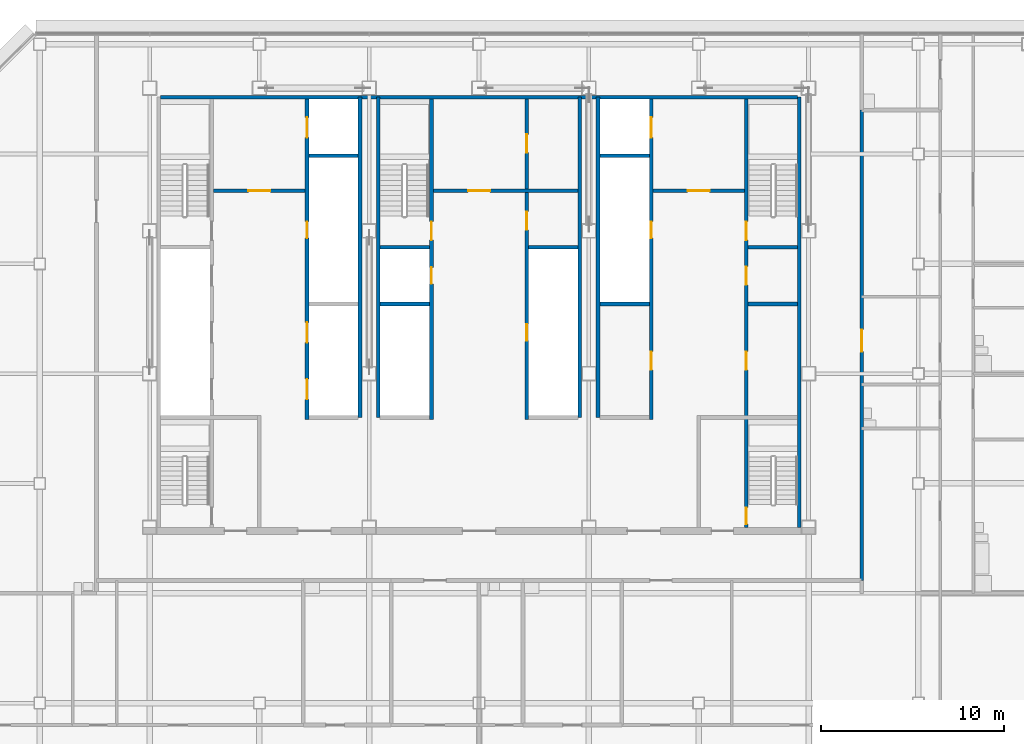
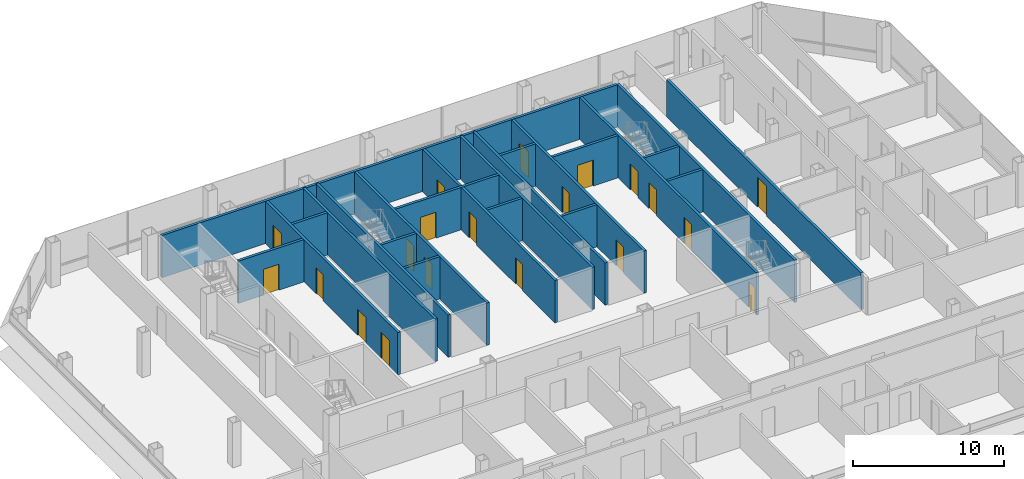
# One storey, part 22 of 26: 23 walls, 20 doors, 20 openings.
"""IFC4 building model written with IfcOpenShell, lengths in metres."""

from ifc_helpers import new_model, si_unit, direction, frame, frame_2d, origin, place, context, subcontext, project, spatial, rectangle, extrude, material, layer, layer_set, type_object, element, fill, save


model = new_model("IFC4")

# Units and contexts
model_context = context("Model", 3, precision=1e-05, world=origin(), true_north=direction((0.0, 1.0)))
body_context = subcontext(model_context, "Body", "Model", "MODEL_VIEW")
ifc_project = project(units=[si_unit("LENGTHUNIT", "METRE"), si_unit("AREAUNIT", "SQUARE_METRE"), si_unit("VOLUMEUNIT", "CUBIC_METRE"), si_unit("PLANEANGLEUNIT", "RADIAN"), si_unit("MASSUNIT", "GRAM", prefix="KILO")], contexts=[model_context])

# Site, building, storey
site_placement = place(None, origin())
site = spatial("IfcSite", under=ifc_project, at=site_placement, CompositionType="ELEMENT")
building_placement = place(site_placement, origin())
building = spatial("IfcBuilding", under=site, at=building_placement, Name="Sorahane Residences", CompositionType="ELEMENT")
storey_placement = place(building_placement, frame((0.0, 0.0, 154.60009765625)))
storey = spatial("IfcBuildingStorey", under=building, at=storey_placement, Name="L35", CompositionType="ELEMENT", Elevation=154.60009765625)

# Walls
ifc_material_1 = material(Name="Concrete C30", Category="concrete")
ifc_layer_1 = layer(ifc_material_1, 0.199951171875)
ifc_layer_set_1 = layer_set([ifc_layer_1], Name="Core face wall 200 EI 180")
wall_type_1 = type_object("IfcWallType", Name="Core face wall 200 EI 180", PredefinedType="SOLIDWALL", material=ifc_layer_set_1)
wall_1_placement = place(storey_placement, frame((41.5, 21.60009765625, 0.0), z_axis=(0.0, 0.0, 1.0), x_axis=(0.0, 1.0, 0.0)))
element("IfcWall", 1, at=wall_1_placement, inside=storey, type_object=wall_type_1, Name="L35 core face wall", PredefinedType="SOLIDWALL", context=body_context, shape_type="SweptSolid", body=[
    extrude(rectangle(XDim=23.5, YDim=0.199951171875, at=frame_2d((11.75, 0.0))), origin(), (0.0, 0.0, 1.0), 3.419921875),
])
wall_2_placement = place(storey_placement, frame((6.60009765625, 45.10009765625, 0.0), z_axis=(0.0, 0.0, 1.0), x_axis=(1.0, 0.0, 0.0)))
element("IfcWall", 2, at=wall_2_placement, inside=storey, type_object=wall_type_1, Name="L35 core face wall", PredefinedType="SOLIDWALL", context=body_context, shape_type="SweptSolid", body=[
    extrude(rectangle(XDim=34.7998046875, YDim=0.199951171875, at=frame_2d((17.39990234375, 0.0))), origin(), (0.0, 0.0, 1.0), 3.419921875),
])
for number, where, z_axis, x_axis, name in (
    (3, (17.5, 27.60009765625, 0.0), (0.0, 0.0, 1.0), (0.0, 1.0, 0.0), "L35 core face wall"),
    (4, (18.5, 27.60009765625, 0.0), (0.0, 0.0, 1.0), (0.0, 1.0, 0.0), "L35 core face wall"),
    (5, (29.5, 27.60009765625, 0.0), (0.0, 0.0, 1.0), (0.0, 1.0, 0.0), "L35 core face wall"),
    (6, (30.5, 27.60009765625, 0.0), (0.0, 0.0, 1.0), (0.0, 1.0, 0.0), "L35 core face wall"),
):
    element("IfcWall", number, at=place(storey_placement, frame(where, z_axis=z_axis, x_axis=x_axis)), inside=storey, type_object=wall_type_1, Name=name, PredefinedType="SOLIDWALL", context=body_context, shape_type="SweptSolid", body=[
        extrude(rectangle(XDim=17.5, YDim=0.199951171875, at=frame_2d((8.75, 0.0))), origin(), (0.0, 0.0, 1.0), 3.419921875),
    ])

# Wall, opening, door
ifc_material_2 = material(Name="Concrete blockwork C20 wall", Category="masonry")
ifc_layer_2 = layer(ifc_material_2, 0.199951171875)
ifc_layer_set_2 = layer_set([ifc_layer_2], Name="Corridor wall 200 EI 120")
wall_type_2 = type_object("IfcWallType", Name="Corridor wall 200 EI 120", PredefinedType="SOLIDWALL", material=ifc_layer_set_2)
wall_3_placement = place(storey_placement, frame((44.89990234375, 18.699951171875, 0.0), z_axis=(0.0, 0.0, 1.0), x_axis=(0.0, 1.0, 0.0)))
wall_3 = element("IfcWall", 7, at=wall_3_placement, inside=storey, type_object=wall_type_2, Name="L35 corridor wall", PredefinedType="SOLIDWALL", context=body_context, shape_type="SweptSolid", body=[
    extrude(rectangle(XDim=25.699951171875, YDim=0.199951171875, at=frame_2d((12.85009765625, 0.0))), origin(), (0.0, 0.0, 1.0), 2.969970703125),
])
opening_1_placement = place(wall_3_placement, frame((12.5, 0.0, 0.0)))
opening_1 = element("IfcOpeningElement", 8, at=opening_1_placement, cuts=wall_3, Name="Opening L35-44", PredefinedType="OPENING", context=body_context, shape_type="SweptSolid", body=[
    extrude(rectangle(XDim=1.199951171875, YDim=2.39990234375, at=frame_2d((0.60009765625, 1.199951171875))), frame((0.0, 0.10986328125, 0.0), z_axis=(0.0, -1.0, 0.0), x_axis=(1.0, 0.0, 0.0)), (0.0, 0.0, 1.0), 0.219970703125),
])
ifc_material_3 = material(Name="Timber veneered fire door", Category="wood")
door_type_1 = type_object("IfcDoorType", Name="Flat entrance door 1200x2400 FD60", OperationType="NOTDEFINED", PredefinedType="DOOR", material=ifc_material_3)
door_1_placement = place(opening_1_placement, frame((1.199951171875, 0.0, 0.0), z_axis=(0.0, 0.0, 1.0), x_axis=(-1.0, 0.0, 0.0)))
door_1 = element("IfcDoor", 9, at=door_1_placement, inside=storey, type_object=door_type_1, Name="Flat entrance door L35-44", OperationType="SINGLE_SWING_LEFT", OverallHeight=2.39990234375, OverallWidth=1.199951171875, PredefinedType="DOOR", context=body_context, shape_type="SweptSolid", body=[
    extrude(rectangle(XDim=1.199951171875, YDim=2.39990234375, at=frame_2d((0.60009765625, 1.199951171875))), frame((0.0, 0.02490234375, 0.0), z_axis=(0.0, -1.0, 0.0), x_axis=(1.0, 0.0, 0.0)), (0.0, 0.0, 1.0), 0.050048828125),
])
fill(opening_1, door_1)

ifc_material_4 = material(Name="Concrete C30", Category="concrete")
ifc_layer_3 = layer(ifc_material_4, 0.199951171875)
ifc_layer_set_3 = layer_set([ifc_layer_3], Name="Front room wall 200 EI 120")
wall_type_3 = type_object("IfcWallType", Name="Front room wall 200 EI 120", PredefinedType="PARTITIONING", material=ifc_layer_set_3)
wall_4_placement = place(storey_placement, frame((21.5, 40.0, 0.0), z_axis=(0.0, 0.0, 1.0), x_axis=(1.0, 0.0, 0.0)))
wall_4 = element("IfcWall", 10, at=wall_4_placement, inside=storey, type_object=wall_type_3, Name="L35 front room wall", PredefinedType="PARTITIONING", context=body_context, shape_type="SweptSolid", body=[
    extrude(rectangle(XDim=7.89990234375, YDim=0.199951171875, at=frame_2d((3.949951171875, 0.0))), origin(), (0.0, 0.0, 1.0), 3.419921875),
])
opening_2_placement = place(wall_4_placement, frame((1.89990234375, 0.0, 0.0)))
opening_2 = element("IfcOpeningElement", 11, at=opening_2_placement, cuts=wall_4, Name="Opening L35-C07", PredefinedType="OPENING", context=body_context, shape_type="SweptSolid", body=[
    extrude(rectangle(XDim=1.199951171875, YDim=2.10009765625, at=frame_2d((0.60009765625, 1.050048828125))), frame((0.0, 0.10986328125, 0.0), z_axis=(0.0, -1.0, 0.0), x_axis=(1.0, 0.0, 0.0)), (0.0, 0.0, 1.0), 0.219970703125),
])
ifc_material_5 = material(Name="Steel", Category="steel")
door_type_2 = type_object("IfcDoorType", Name="Front room door 1200x2100 FD120", OperationType="NOTDEFINED", PredefinedType="DOOR", material=ifc_material_5)
door_2_placement = place(opening_2_placement, frame((1.199951171875, 0.0, 0.0), z_axis=(0.0, 0.0, 1.0), x_axis=(-1.0, 0.0, 0.0)))
door_2 = element("IfcDoor", 12, at=door_2_placement, inside=storey, type_object=door_type_2, Name="Front room door Stair S3 vestibule L35", OperationType="DOUBLE_DOOR_SINGLE_SWING", OverallHeight=2.10009765625, OverallWidth=1.199951171875, PredefinedType="DOOR", context=body_context, shape_type="SweptSolid", body=[
    extrude(rectangle(XDim=1.199951171875, YDim=2.10009765625, at=frame_2d((0.60009765625, 1.050048828125))), frame((0.0, 0.02490234375, 0.0), z_axis=(0.0, -1.0, 0.0), x_axis=(1.0, 0.0, 0.0)), (0.0, 0.0, 1.0), 0.050048828125),
])
fill(opening_2, door_2)

wall_5_placement = place(storey_placement, frame((33.5, 40.0, 0.0), z_axis=(0.0, 0.0, 1.0), x_axis=(1.0, 0.0, 0.0)))
wall_5 = element("IfcWall", 13, at=wall_5_placement, inside=storey, type_object=wall_type_3, Name="L35 front room wall", PredefinedType="PARTITIONING", context=body_context, shape_type="SweptSolid", body=[
    extrude(rectangle(XDim=5.0, YDim=0.199951171875, at=frame_2d((2.5, 0.0))), origin(), (0.0, 0.0, 1.0), 3.419921875),
])
opening_3_placement = place(wall_5_placement, frame((1.89990234375, 0.0, 0.0)))
opening_3 = element("IfcOpeningElement", 14, at=opening_3_placement, cuts=wall_5, Name="Opening L35-C08", PredefinedType="OPENING", context=body_context, shape_type="SweptSolid", body=[
    extrude(rectangle(XDim=1.199951171875, YDim=2.10009765625, at=frame_2d((0.60009765625, 1.050048828125))), frame((0.0, 0.10986328125, 0.0), z_axis=(0.0, -1.0, 0.0), x_axis=(1.0, 0.0, 0.0)), (0.0, 0.0, 1.0), 0.219970703125),
])
door_3_placement = place(opening_3_placement, frame((1.199951171875, 0.0, 0.0), z_axis=(0.0, 0.0, 1.0), x_axis=(-1.0, 0.0, 0.0)))
door_3 = element("IfcDoor", 15, at=door_3_placement, inside=storey, type_object=door_type_2, Name="Front room door Firefighting lobby FF2 front room L35", OperationType="DOUBLE_DOOR_SINGLE_SWING", OverallHeight=2.10009765625, OverallWidth=1.199951171875, PredefinedType="DOOR", context=body_context, shape_type="SweptSolid", body=[
    extrude(rectangle(XDim=1.199951171875, YDim=2.10009765625, at=frame_2d((0.60009765625, 1.050048828125))), frame((0.0, 0.02490234375, 0.0), z_axis=(0.0, -1.0, 0.0), x_axis=(1.0, 0.0, 0.0)), (0.0, 0.0, 1.0), 0.050048828125),
])
fill(opening_3, door_3)

wall_6_placement = place(storey_placement, frame((9.5, 40.0, 0.0), z_axis=(0.0, 0.0, 1.0), x_axis=(1.0, 0.0, 0.0)))
wall_6 = element("IfcWall", 16, at=wall_6_placement, inside=storey, type_object=wall_type_3, Name="L35 front room wall", PredefinedType="PARTITIONING", context=body_context, shape_type="SweptSolid", body=[
    extrude(rectangle(XDim=5.0, YDim=0.199951171875, at=frame_2d((2.5, 0.0))), origin(), (0.0, 0.0, 1.0), 3.419921875),
])
opening_4_placement = place(wall_6_placement, frame((1.89990234375, 0.0, 0.0)))
opening_4 = element("IfcOpeningElement", 17, at=opening_4_placement, cuts=wall_6, Name="Opening L35-C06", PredefinedType="OPENING", context=body_context, shape_type="SweptSolid", body=[
    extrude(rectangle(XDim=1.199951171875, YDim=2.10009765625, at=frame_2d((0.60009765625, 1.050048828125))), frame((0.0, 0.10986328125, 0.0), z_axis=(0.0, -1.0, 0.0), x_axis=(1.0, 0.0, 0.0)), (0.0, 0.0, 1.0), 0.219970703125),
])
door_4_placement = place(opening_4_placement, frame((1.199951171875, 0.0, 0.0), z_axis=(0.0, 0.0, 1.0), x_axis=(-1.0, 0.0, 0.0)))
door_4 = element("IfcDoor", 18, at=door_4_placement, inside=storey, type_object=door_type_2, Name="Front room door Firefighting lobby FF1 front room L35", OperationType="DOUBLE_DOOR_SINGLE_SWING", OverallHeight=2.10009765625, OverallWidth=1.199951171875, PredefinedType="DOOR", context=body_context, shape_type="SweptSolid", body=[
    extrude(rectangle(XDim=1.199951171875, YDim=2.10009765625, at=frame_2d((0.60009765625, 1.050048828125))), frame((0.0, 0.02490234375, 0.0), z_axis=(0.0, -1.0, 0.0), x_axis=(1.0, 0.0, 0.0)), (0.0, 0.0, 1.0), 0.050048828125),
])
fill(opening_4, door_4)

# Wall, openings, doors
ifc_material_6 = material(Name="Concrete C30", Category="concrete")
ifc_layer_4 = layer(ifc_material_6, 0.199951171875)
ifc_layer_set_4 = layer_set([ifc_layer_4], Name="Lift shaft wall 200 EI 120")
wall_type_4 = type_object("IfcWallType", Name="Lift shaft wall 200 EI 120", PredefinedType="SOLIDWALL", material=ifc_layer_set_4)
wall_7_placement = place(storey_placement, frame((14.60009765625, 27.5, 0.0), z_axis=(0.0, 0.0, 1.0), x_axis=(0.0, 1.0, 0.0)))
wall_7 = element("IfcWall", 19, at=wall_7_placement, inside=storey, type_object=wall_type_4, Name="L35 lift shaft wall", PredefinedType="SOLIDWALL", context=body_context, shape_type="SweptSolid", body=[
    extrude(rectangle(XDim=17.5, YDim=0.199951171875, at=frame_2d((8.75, 0.0))), origin(), (0.0, 0.0, 1.0), 3.419921875),
])
opening_5_placement = place(wall_7_placement, frame((1.10009765625, 0.0, 0.0)))
opening_5 = element("IfcOpeningElement", 20, at=opening_5_placement, cuts=wall_7, Name="Opening L35-C10", PredefinedType="OPENING", context=body_context, shape_type="SweptSolid", body=[
    extrude(rectangle(XDim=1.10009765625, YDim=2.10009765625, at=frame_2d((0.550048828125, 1.050048828125))), frame((0.0, 0.10986328125, 0.0), z_axis=(0.0, -1.0, 0.0), x_axis=(1.0, 0.0, 0.0)), (0.0, 0.0, 1.0), 0.219970703125),
])
opening_6_placement = place(wall_7_placement, frame((4.199951171875, 0.0, 0.0)))
opening_6 = element("IfcOpeningElement", 21, at=opening_6_placement, cuts=wall_7, Name="Opening L35-C11", PredefinedType="OPENING", context=body_context, shape_type="SweptSolid", body=[
    extrude(rectangle(XDim=1.10009765625, YDim=2.10009765625, at=frame_2d((0.550048828125, 1.050048828125))), frame((0.0, 0.10986328125, 0.0), z_axis=(0.0, -1.0, 0.0), x_axis=(1.0, 0.0, 0.0)), (0.0, 0.0, 1.0), 0.219970703125),
])
opening_7_placement = place(wall_7_placement, frame((15.39990234375, 0.0, 0.0)))
opening_7 = element("IfcOpeningElement", 22, at=opening_7_placement, cuts=wall_7, Name="Opening L35-C12", PredefinedType="OPENING", context=body_context, shape_type="SweptSolid", body=[
    extrude(rectangle(XDim=1.10009765625, YDim=2.10009765625, at=frame_2d((0.550048828125, 1.050048828125))), frame((0.0, 0.10986328125, 0.0), z_axis=(0.0, -1.0, 0.0), x_axis=(1.0, 0.0, 0.0)), (0.0, 0.0, 1.0), 0.219970703125),
])
opening_8_placement = place(wall_7_placement, frame((9.89990234375, 0.0, 0.0)))
opening_8 = element("IfcOpeningElement", 23, at=opening_8_placement, cuts=wall_7, Name="Opening L35-C24", PredefinedType="OPENING", context=body_context, shape_type="SweptSolid", body=[
    extrude(rectangle(XDim=0.89990234375, YDim=2.10009765625, at=frame_2d((0.449951171875, 1.050048828125))), frame((0.0, 0.10986328125, 0.0), z_axis=(0.0, -1.0, 0.0), x_axis=(1.0, 0.0, 0.0)), (0.0, 0.0, 1.0), 0.219970703125),
])
ifc_material_7 = material(Name="Aluminium and stainless steel", Category="steel")
door_type_3 = type_object("IfcDoorType", Name="Lift landing door 1100x2100 E 60", OperationType="NOTDEFINED", PredefinedType="DOOR", material=ifc_material_7)
door_5_placement = place(opening_5_placement, origin())
door_5 = element("IfcDoor", 24, at=door_5_placement, inside=storey, type_object=door_type_3, Name="Lift landing door LR4 L35", OperationType="DOUBLE_DOOR_SLIDING", OverallHeight=2.10009765625, OverallWidth=1.10009765625, PredefinedType="DOOR", context=body_context, shape_type="SweptSolid", body=[
    extrude(rectangle(XDim=1.10009765625, YDim=2.10009765625, at=frame_2d((0.550048828125, 1.050048828125))), frame((0.0, 0.02490234375, 0.0), z_axis=(0.0, -1.0, 0.0), x_axis=(1.0, 0.0, 0.0)), (0.0, 0.0, 1.0), 0.050048828125),
])
fill(opening_5, door_5)
door_6_placement = place(opening_6_placement, origin())
door_6 = element("IfcDoor", 25, at=door_6_placement, inside=storey, type_object=door_type_3, Name="Lift landing door LR5 L35", OperationType="DOUBLE_DOOR_SLIDING", OverallHeight=2.10009765625, OverallWidth=1.10009765625, PredefinedType="DOOR", context=body_context, shape_type="SweptSolid", body=[
    extrude(rectangle(XDim=1.10009765625, YDim=2.10009765625, at=frame_2d((0.550048828125, 1.050048828125))), frame((0.0, 0.02490234375, 0.0), z_axis=(0.0, -1.0, 0.0), x_axis=(1.0, 0.0, 0.0)), (0.0, 0.0, 1.0), 0.050048828125),
])
fill(opening_6, door_6)
door_7_placement = place(opening_7_placement, origin())
door_7 = element("IfcDoor", 26, at=door_7_placement, inside=storey, type_object=door_type_3, Name="Lift landing door FF1 L35", OperationType="DOUBLE_DOOR_SLIDING", OverallHeight=2.10009765625, OverallWidth=1.10009765625, PredefinedType="DOOR", context=body_context, shape_type="SweptSolid", body=[
    extrude(rectangle(XDim=1.10009765625, YDim=2.10009765625, at=frame_2d((0.550048828125, 1.050048828125))), frame((0.0, 0.02490234375, 0.0), z_axis=(0.0, -1.0, 0.0), x_axis=(1.0, 0.0, 0.0)), (0.0, 0.0, 1.0), 0.050048828125),
])
fill(opening_7, door_7)
ifc_material_8 = material(Name="Steel", Category="steel")
door_type_4 = type_object("IfcDoorType", Name="Riser door 900x2100 FD120", OperationType="NOTDEFINED", PredefinedType="DOOR", material=ifc_material_8)
door_8_placement = place(opening_8_placement, origin())
door_8 = element("IfcDoor", 27, at=door_8_placement, inside=storey, type_object=door_type_4, Name="Riser door R1 L35", OperationType="SINGLE_SWING_LEFT", OverallHeight=2.10009765625, OverallWidth=0.89990234375, PredefinedType="DOOR", context=body_context, shape_type="SweptSolid", body=[
    extrude(rectangle(XDim=0.89990234375, YDim=2.10009765625, at=frame_2d((0.449951171875, 1.050048828125))), frame((0.0, 0.02490234375, 0.0), z_axis=(0.0, -1.0, 0.0), x_axis=(1.0, 0.0, 0.0)), (0.0, 0.0, 1.0), 0.050048828125),
])
fill(opening_8, door_8)

wall_8_placement = place(storey_placement, frame((33.39990234375, 27.5, 0.0), z_axis=(0.0, 0.0, 1.0), x_axis=(0.0, 1.0, 0.0)))
wall_8 = element("IfcWall", 28, at=wall_8_placement, inside=storey, type_object=wall_type_4, Name="L35 lift shaft wall", PredefinedType="SOLIDWALL", context=body_context, shape_type="SweptSolid", body=[
    extrude(rectangle(XDim=17.5, YDim=0.199951171875, at=frame_2d((8.75, 0.0))), origin(), (0.0, 0.0, 1.0), 3.419921875),
])
opening_9_placement = place(wall_8_placement, frame((15.39990234375, 0.0, 0.0)))
opening_9 = element("IfcOpeningElement", 29, at=opening_9_placement, cuts=wall_8, Name="Opening L35-C09", PredefinedType="OPENING", context=body_context, shape_type="SweptSolid", body=[
    extrude(rectangle(XDim=1.10009765625, YDim=2.10009765625, at=frame_2d((0.550048828125, 1.050048828125))), frame((0.0, 0.10986328125, 0.0), z_axis=(0.0, -1.0, 0.0), x_axis=(1.0, 0.0, 0.0)), (0.0, 0.0, 1.0), 0.219970703125),
])
opening_10_placement = place(wall_8_placement, frame((2.699951171875, 0.0, 0.0)))
opening_10 = element("IfcOpeningElement", 30, at=opening_10_placement, cuts=wall_8, Name="Opening L35-C18", PredefinedType="OPENING", context=body_context, shape_type="SweptSolid", body=[
    extrude(rectangle(XDim=1.0, YDim=2.10009765625, at=frame_2d((0.5, 1.050048828125))), frame((0.0, 0.10986328125, 0.0), z_axis=(0.0, -1.0, 0.0), x_axis=(1.0, 0.0, 0.0)), (0.0, 0.0, 1.0), 0.219970703125),
])
opening_11_placement = place(wall_8_placement, frame((9.89990234375, 0.0, 0.0)))
opening_11 = element("IfcOpeningElement", 31, at=opening_11_placement, cuts=wall_8, Name="Opening L35-C25", PredefinedType="OPENING", context=body_context, shape_type="SweptSolid", body=[
    extrude(rectangle(XDim=0.89990234375, YDim=2.10009765625, at=frame_2d((0.449951171875, 1.050048828125))), frame((0.0, 0.10986328125, 0.0), z_axis=(0.0, -1.0, 0.0), x_axis=(1.0, 0.0, 0.0)), (0.0, 0.0, 1.0), 0.219970703125),
])
door_9_placement = place(opening_9_placement, origin())
door_9 = element("IfcDoor", 32, at=door_9_placement, inside=storey, type_object=door_type_3, Name="Lift landing door FF2 L35", OperationType="DOUBLE_DOOR_SLIDING", OverallHeight=2.10009765625, OverallWidth=1.10009765625, PredefinedType="DOOR", context=body_context, shape_type="SweptSolid", body=[
    extrude(rectangle(XDim=1.10009765625, YDim=2.10009765625, at=frame_2d((0.550048828125, 1.050048828125))), frame((0.0, 0.02490234375, 0.0), z_axis=(0.0, -1.0, 0.0), x_axis=(1.0, 0.0, 0.0)), (0.0, 0.0, 1.0), 0.050048828125),
])
fill(opening_9, door_9)
door_10_placement = place(opening_11_placement, frame((0.89990234375, 0.0, 0.0), z_axis=(0.0, 0.0, 1.0), x_axis=(-1.0, 0.0, 0.0)))
door_10 = element("IfcDoor", 33, at=door_10_placement, inside=storey, type_object=door_type_4, Name="Riser door R2 L35", OperationType="SINGLE_SWING_LEFT", OverallHeight=2.10009765625, OverallWidth=0.89990234375, PredefinedType="DOOR", context=body_context, shape_type="SweptSolid", body=[
    extrude(rectangle(XDim=0.89990234375, YDim=2.10009765625, at=frame_2d((0.449951171875, 1.050048828125))), frame((0.0, 0.02490234375, 0.0), z_axis=(0.0, -1.0, 0.0), x_axis=(1.0, 0.0, 0.0)), (0.0, 0.0, 1.0), 0.050048828125),
])
fill(opening_11, door_10)
ifc_material_9 = material(Name="Steel", Category="steel")
door_type_5 = type_object("IfcDoorType", Name="Service room door 1000x2100 FD60", OperationType="NOTDEFINED", PredefinedType="DOOR", material=ifc_material_9)
door_11_placement = place(opening_10_placement, origin())
door_11 = element("IfcDoor", 34, at=door_11_placement, inside=storey, type_object=door_type_5, Name="Service room door Tea room L35", OperationType="SINGLE_SWING_RIGHT", OverallHeight=2.10009765625, OverallWidth=1.0, PredefinedType="DOOR", context=body_context, shape_type="SweptSolid", body=[
    extrude(rectangle(XDim=1.0, YDim=2.10009765625, at=frame_2d((0.5, 1.050048828125))), frame((0.0, 0.02490234375, 0.0), z_axis=(0.0, -1.0, 0.0), x_axis=(1.0, 0.0, 0.0)), (0.0, 0.0, 1.0), 0.050048828125),
])
fill(opening_10, door_11)

# Walls
for number, where, z_axis, x_axis, name in (
    (35, (18.60009765625, 33.800048828125, 0.0), (0.0, 0.0, 1.0), (1.0, 0.0, 0.0), "L35 lift shaft wall"),
    (36, (14.699951171875, 41.89990234375, 0.0), (0.0, 0.0, 1.0), (1.0, 0.0, 0.0), "L35 lift shaft wall"),
    (37, (30.60009765625, 41.89990234375, 0.0), (0.0, 0.0, 1.0), (1.0, 0.0, 0.0), "L35 lift shaft wall"),
):
    element("IfcWall", number, at=place(storey_placement, frame(where, z_axis=z_axis, x_axis=x_axis)), inside=storey, type_object=wall_type_4, Name=name, PredefinedType="SOLIDWALL", context=body_context, shape_type="SweptSolid", body=[
        extrude(rectangle(XDim=2.699951171875, YDim=0.199951171875, at=frame_2d((1.35009765625, 0.0))), origin(), (0.0, 0.0, 1.0), 3.419921875),
    ])

# Wall, openings, doors
ifc_material_10 = material(Name="Concrete C30", Category="concrete")
ifc_layer_5 = layer(ifc_material_10, 0.199951171875)
ifc_layer_set_5 = layer_set([ifc_layer_5], Name="Riser shaft wall 200 EI 120")
wall_type_5 = type_object("IfcWallType", Name="Riser shaft wall 200 EI 120", PredefinedType="SOLIDWALL", material=ifc_layer_set_5)
wall_9_placement = place(storey_placement, frame((26.60009765625, 27.5, 0.0), z_axis=(0.0, 0.0, 1.0), x_axis=(0.0, 1.0, 0.0)))
wall_9 = element("IfcWall", 38, at=wall_9_placement, inside=storey, type_object=wall_type_5, Name="L35 riser wall", PredefinedType="SOLIDWALL", context=body_context, shape_type="SweptSolid", body=[
    extrude(rectangle(XDim=17.5, YDim=0.199951171875, at=frame_2d((8.75, 0.0))), origin(), (0.0, 0.0, 1.0), 3.419921875),
])
opening_12_placement = place(wall_9_placement, frame((4.300048828125, 0.0, 0.0)))
opening_12 = element("IfcOpeningElement", 39, at=opening_12_placement, cuts=wall_9, Name="Opening L35-C27", PredefinedType="OPENING", context=body_context, shape_type="SweptSolid", body=[
    extrude(rectangle(XDim=0.89990234375, YDim=2.10009765625, at=frame_2d((0.449951171875, 1.050048828125))), frame((0.0, 0.10986328125, 0.0), z_axis=(0.0, -1.0, 0.0), x_axis=(1.0, 0.0, 0.0)), (0.0, 0.0, 1.0), 0.219970703125),
])
opening_13_placement = place(wall_9_placement, frame((10.35009765625, 0.0, 0.0)))
opening_13 = element("IfcOpeningElement", 40, at=opening_13_placement, cuts=wall_9, Name="Opening L35-C28", PredefinedType="OPENING", context=body_context, shape_type="SweptSolid", body=[
    extrude(rectangle(XDim=1.0, YDim=2.10009765625, at=frame_2d((0.5, 1.050048828125))), frame((0.0, 0.10986328125, 0.0), z_axis=(0.0, -1.0, 0.0), x_axis=(1.0, 0.0, 0.0)), (0.0, 0.0, 1.0), 0.219970703125),
])
opening_14_placement = place(wall_9_placement, frame((14.574951171875, 0.0, 0.0)))
opening_14 = element("IfcOpeningElement", 41, at=opening_14_placement, cuts=wall_9, Name="Opening L35-C29", PredefinedType="OPENING", context=body_context, shape_type="SweptSolid", body=[
    extrude(rectangle(XDim=1.0, YDim=2.10009765625, at=frame_2d((0.5, 1.050048828125))), frame((0.0, 0.10986328125, 0.0), z_axis=(0.0, -1.0, 0.0), x_axis=(1.0, 0.0, 0.0)), (0.0, 0.0, 1.0), 0.219970703125),
])
door_12_placement = place(opening_12_placement, origin())
door_12 = element("IfcDoor", 42, at=door_12_placement, inside=storey, type_object=door_type_4, Name="Riser door R4 L35", OperationType="SINGLE_SWING_LEFT", OverallHeight=2.10009765625, OverallWidth=0.89990234375, PredefinedType="DOOR", context=body_context, shape_type="SweptSolid", body=[
    extrude(rectangle(XDim=0.89990234375, YDim=2.10009765625, at=frame_2d((0.449951171875, 1.050048828125))), frame((0.0, 0.02490234375, 0.0), z_axis=(0.0, -1.0, 0.0), x_axis=(1.0, 0.0, 0.0)), (0.0, 0.0, 1.0), 0.050048828125),
])
fill(opening_12, door_12)
door_13_placement = place(opening_13_placement, frame((1.0, 0.0, 0.0), z_axis=(0.0, 0.0, 1.0), x_axis=(-1.0, 0.0, 0.0)))
door_13 = element("IfcDoor", 43, at=door_13_placement, inside=storey, type_object=door_type_5, Name="Service room door Linen room L35", OperationType="SINGLE_SWING_LEFT", OverallHeight=2.10009765625, OverallWidth=1.0, PredefinedType="DOOR", context=body_context, shape_type="SweptSolid", body=[
    extrude(rectangle(XDim=1.0, YDim=2.10009765625, at=frame_2d((0.5, 1.050048828125))), frame((0.0, 0.02490234375, 0.0), z_axis=(0.0, -1.0, 0.0), x_axis=(1.0, 0.0, 0.0)), (0.0, 0.0, 1.0), 0.050048828125),
])
fill(opening_13, door_13)
door_14_placement = place(opening_14_placement, frame((1.0, 0.0, 0.0), z_axis=(0.0, 0.0, 1.0), x_axis=(-1.0, 0.0, 0.0)))
door_14 = element("IfcDoor", 44, at=door_14_placement, inside=storey, type_object=door_type_5, Name="Service room door Cleaners' store L35", OperationType="SINGLE_SWING_LEFT", OverallHeight=2.10009765625, OverallWidth=1.0, PredefinedType="DOOR", context=body_context, shape_type="SweptSolid", body=[
    extrude(rectangle(XDim=1.0, YDim=2.10009765625, at=frame_2d((0.5, 1.050048828125))), frame((0.0, 0.02490234375, 0.0), z_axis=(0.0, -1.0, 0.0), x_axis=(1.0, 0.0, 0.0)), (0.0, 0.0, 1.0), 0.050048828125),
])
fill(opening_14, door_14)

# Walls
for number, where, z_axis, x_axis, name in (
    (45, (30.60009765625, 33.800048828125, 0.0), (0.0, 0.0, 1.0), (1.0, 0.0, 0.0), "L35 riser wall"),
    (46, (26.699951171875, 36.89990234375, 0.0), (0.0, 0.0, 1.0), (1.0, 0.0, 0.0), "L35 riser wall"),
):
    element("IfcWall", number, at=place(storey_placement, frame(where, z_axis=z_axis, x_axis=x_axis)), inside=storey, type_object=wall_type_5, Name=name, PredefinedType="SOLIDWALL", context=body_context, shape_type="SweptSolid", body=[
        extrude(rectangle(XDim=2.699951171875, YDim=0.199951171875, at=frame_2d((1.35009765625, 0.0))), origin(), (0.0, 0.0, 1.0), 3.419921875),
    ])
ifc_material_11 = material(Name="Concrete C30", Category="concrete")
ifc_layer_6 = layer(ifc_material_11, 0.199951171875)
ifc_layer_set_6 = layer_set([ifc_layer_6], Name="Service room partition 200 EI 60")
wall_type_6 = type_object("IfcWallType", Name="Service room partition 200 EI 60", PredefinedType="PARTITIONING", material=ifc_layer_set_6)
wall_10_placement = place(storey_placement, frame((38.699951171875, 33.800048828125, 0.0), z_axis=(0.0, 0.0, 1.0), x_axis=(1.0, 0.0, 0.0)))
element("IfcWall", 47, at=wall_10_placement, inside=storey, type_object=wall_type_6, Name="L35 service room wall", PredefinedType="PARTITIONING", context=body_context, shape_type="SweptSolid", body=[
    extrude(rectangle(XDim=2.699951171875, YDim=0.199951171875, at=frame_2d((1.35009765625, 0.0))), origin(), (0.0, 0.0, 1.0), 3.419921875),
])

# Wall, openings, doors
ifc_material_12 = material(Name="Concrete C30", Category="concrete")
ifc_layer_7 = layer(ifc_material_12, 0.199951171875)
ifc_layer_set_7 = layer_set([ifc_layer_7], Name="Stair enclosure wall 200 EI 120")
wall_type_7 = type_object("IfcWallType", Name="Stair enclosure wall 200 EI 120", PredefinedType="SOLIDWALL", material=ifc_layer_set_7)
wall_11_placement = place(storey_placement, frame((21.39990234375, 27.5, 0.0), z_axis=(0.0, 0.0, 1.0), x_axis=(0.0, 1.0, 0.0)))
wall_11 = element("IfcWall", 48, at=wall_11_placement, inside=storey, type_object=wall_type_7, Name="L35 stair enclosure wall", PredefinedType="SOLIDWALL", context=body_context, shape_type="SweptSolid", body=[
    extrude(rectangle(XDim=17.5, YDim=0.199951171875, at=frame_2d((8.75, 0.0))), origin(), (0.0, 0.0, 1.0), 3.419921875),
])
opening_15_placement = place(wall_11_placement, frame((9.800048828125, 0.0, 0.0)))
opening_15 = element("IfcOpeningElement", 49, at=opening_15_placement, cuts=wall_11, Name="Opening L35-C21", PredefinedType="OPENING", context=body_context, shape_type="SweptSolid", body=[
    extrude(rectangle(XDim=1.0, YDim=2.10009765625, at=frame_2d((0.5, 1.050048828125))), frame((0.0, 0.10986328125, 0.0), z_axis=(0.0, -1.0, 0.0), x_axis=(1.0, 0.0, 0.0)), (0.0, 0.0, 1.0), 0.219970703125),
])
opening_16_placement = place(wall_11_placement, frame((7.39990234375, 0.0, 0.0)))
opening_16 = element("IfcOpeningElement", 50, at=opening_16_placement, cuts=wall_11, Name="Opening L35-C26", PredefinedType="OPENING", context=body_context, shape_type="SweptSolid", body=[
    extrude(rectangle(XDim=0.89990234375, YDim=2.10009765625, at=frame_2d((0.449951171875, 1.050048828125))), frame((0.0, 0.10986328125, 0.0), z_axis=(0.0, -1.0, 0.0), x_axis=(1.0, 0.0, 0.0)), (0.0, 0.0, 1.0), 0.219970703125),
])
door_15_placement = place(opening_16_placement, frame((0.89990234375, 0.0, 0.0), z_axis=(0.0, 0.0, 1.0), x_axis=(-1.0, 0.0, 0.0)))
door_15 = element("IfcDoor", 51, at=door_15_placement, inside=storey, type_object=door_type_4, Name="Riser door R3 L35", OperationType="SINGLE_SWING_LEFT", OverallHeight=2.10009765625, OverallWidth=0.89990234375, PredefinedType="DOOR", context=body_context, shape_type="SweptSolid", body=[
    extrude(rectangle(XDim=0.89990234375, YDim=2.10009765625, at=frame_2d((0.449951171875, 1.050048828125))), frame((0.0, 0.02490234375, 0.0), z_axis=(0.0, -1.0, 0.0), x_axis=(1.0, 0.0, 0.0)), (0.0, 0.0, 1.0), 0.050048828125),
])
fill(opening_16, door_15)
ifc_material_13 = material(Name="Steel", Category="steel")
door_type_6 = type_object("IfcDoorType", Name="Stair door 1000x2100 FD120", OperationType="NOTDEFINED", PredefinedType="DOOR", material=ifc_material_13)
door_16_placement = place(opening_15_placement, origin())
door_16 = element("IfcDoor", 52, at=door_16_placement, inside=storey, type_object=door_type_6, Name="Stair door S3 L35", OperationType="SINGLE_SWING_LEFT", OverallHeight=2.10009765625, OverallWidth=1.0, PredefinedType="DOOR", context=body_context, shape_type="SweptSolid", body=[
    extrude(rectangle(XDim=1.0, YDim=2.10009765625, at=frame_2d((0.5, 1.050048828125))), frame((0.0, 0.02490234375, 0.0), z_axis=(0.0, -1.0, 0.0), x_axis=(1.0, 0.0, 0.0)), (0.0, 0.0, 1.0), 0.050048828125),
])
fill(opening_15, door_16)

wall_12_placement = place(storey_placement, frame((38.60009765625, 21.60009765625, 0.0), z_axis=(0.0, 0.0, 1.0), x_axis=(0.0, 1.0, 0.0)))
wall_12 = element("IfcWall", 53, at=wall_12_placement, inside=storey, type_object=wall_type_7, Name="L35 stair enclosure wall", PredefinedType="SOLIDWALL", context=body_context, shape_type="SweptSolid", body=[
    extrude(rectangle(XDim=23.39990234375, YDim=0.199951171875, at=frame_2d((11.699951171875, 0.0))), origin(), (0.0, 0.0, 1.0), 3.419921875),
])
opening_17_placement = place(wall_12_placement, frame((8.60009765625, 0.0, 0.0)))
opening_17 = element("IfcOpeningElement", 54, at=opening_17_placement, cuts=wall_12, Name="Opening L35-C16", PredefinedType="OPENING", context=body_context, shape_type="SweptSolid", body=[
    extrude(rectangle(XDim=1.0, YDim=2.10009765625, at=frame_2d((0.5, 1.050048828125))), frame((0.0, 0.10986328125, 0.0), z_axis=(0.0, -1.0, 0.0), x_axis=(1.0, 0.0, 0.0)), (0.0, 0.0, 1.0), 0.219970703125),
])
opening_18_placement = place(wall_12_placement, frame((13.25, 0.0, 0.0)))
opening_18 = element("IfcOpeningElement", 55, at=opening_18_placement, cuts=wall_12, Name="Opening L35-C17", PredefinedType="OPENING", context=body_context, shape_type="SweptSolid", body=[
    extrude(rectangle(XDim=1.0, YDim=2.10009765625, at=frame_2d((0.5, 1.050048828125))), frame((0.0, 0.10986328125, 0.0), z_axis=(0.0, -1.0, 0.0), x_axis=(1.0, 0.0, 0.0)), (0.0, 0.0, 1.0), 0.219970703125),
])
opening_19_placement = place(wall_12_placement, frame((15.699951171875, 0.0, 0.0)))
opening_19 = element("IfcOpeningElement", 56, at=opening_19_placement, cuts=wall_12, Name="Opening L35-C20", PredefinedType="OPENING", context=body_context, shape_type="SweptSolid", body=[
    extrude(rectangle(XDim=1.0, YDim=2.10009765625, at=frame_2d((0.5, 1.050048828125))), frame((0.0, 0.10986328125, 0.0), z_axis=(0.0, -1.0, 0.0), x_axis=(1.0, 0.0, 0.0)), (0.0, 0.0, 1.0), 0.219970703125),
])
opening_20_placement = place(wall_12_placement, frame((0.175048828125, 0.0, 0.0)))
opening_20 = element("IfcOpeningElement", 57, at=opening_20_placement, cuts=wall_12, Name="Opening L35-C23", PredefinedType="OPENING", context=body_context, shape_type="SweptSolid", body=[
    extrude(rectangle(XDim=0.89990234375, YDim=2.10009765625, at=frame_2d((0.449951171875, 1.050048828125))), frame((0.0, 0.10986328125, 0.0), z_axis=(0.0, -1.0, 0.0), x_axis=(1.0, 0.0, 0.0)), (0.0, 0.0, 1.0), 0.219970703125),
])
door_17_placement = place(opening_17_placement, frame((1.0, 0.0, 0.0), z_axis=(0.0, 0.0, 1.0), x_axis=(-1.0, 0.0, 0.0)))
door_17 = element("IfcDoor", 58, at=door_17_placement, inside=storey, type_object=door_type_5, Name="Service room door Tea room L35", OperationType="SINGLE_SWING_RIGHT", OverallHeight=2.10009765625, OverallWidth=1.0, PredefinedType="DOOR", context=body_context, shape_type="SweptSolid", body=[
    extrude(rectangle(XDim=1.0, YDim=2.10009765625, at=frame_2d((0.5, 1.050048828125))), frame((0.0, 0.02490234375, 0.0), z_axis=(0.0, -1.0, 0.0), x_axis=(1.0, 0.0, 0.0)), (0.0, 0.0, 1.0), 0.050048828125),
])
fill(opening_17, door_17)
door_18_placement = place(opening_18_placement, frame((1.0, 0.0, 0.0), z_axis=(0.0, 0.0, 1.0), x_axis=(-1.0, 0.0, 0.0)))
door_18 = element("IfcDoor", 59, at=door_18_placement, inside=storey, type_object=door_type_5, Name="Service room door Tea room L35", OperationType="SINGLE_SWING_LEFT", OverallHeight=2.10009765625, OverallWidth=1.0, PredefinedType="DOOR", context=body_context, shape_type="SweptSolid", body=[
    extrude(rectangle(XDim=1.0, YDim=2.10009765625, at=frame_2d((0.5, 1.050048828125))), frame((0.0, 0.02490234375, 0.0), z_axis=(0.0, -1.0, 0.0), x_axis=(1.0, 0.0, 0.0)), (0.0, 0.0, 1.0), 0.050048828125),
])
fill(opening_18, door_18)
door_19_placement = place(opening_19_placement, frame((1.0, 0.0, 0.0), z_axis=(0.0, 0.0, 1.0), x_axis=(-1.0, 0.0, 0.0)))
door_19 = element("IfcDoor", 60, at=door_19_placement, inside=storey, type_object=door_type_6, Name="Stair door S2 L35", OperationType="SINGLE_SWING_LEFT", OverallHeight=2.10009765625, OverallWidth=1.0, PredefinedType="DOOR", context=body_context, shape_type="SweptSolid", body=[
    extrude(rectangle(XDim=1.0, YDim=2.10009765625, at=frame_2d((0.5, 1.050048828125))), frame((0.0, 0.02490234375, 0.0), z_axis=(0.0, -1.0, 0.0), x_axis=(1.0, 0.0, 0.0)), (0.0, 0.0, 1.0), 0.050048828125),
])
fill(opening_19, door_19)
ifc_material_14 = material(Name="Steel", Category="steel")
door_type_7 = type_object("IfcDoorType", Name="Stair door 900x2100 FD120", OperationType="NOTDEFINED", PredefinedType="DOOR", material=ifc_material_14)
door_20_placement = place(opening_20_placement, frame((0.89990234375, 0.0, 0.0), z_axis=(0.0, 0.0, 1.0), x_axis=(-1.0, 0.0, 0.0)))
door_20 = element("IfcDoor", 61, at=door_20_placement, inside=storey, type_object=door_type_7, Name="Stair door S5 L35", OperationType="SINGLE_SWING_LEFT", OverallHeight=2.10009765625, OverallWidth=0.89990234375, PredefinedType="DOOR", context=body_context, shape_type="SweptSolid", body=[
    extrude(rectangle(XDim=0.89990234375, YDim=2.10009765625, at=frame_2d((0.449951171875, 1.050048828125))), frame((0.0, 0.02490234375, 0.0), z_axis=(0.0, -1.0, 0.0), x_axis=(1.0, 0.0, 0.0)), (0.0, 0.0, 1.0), 0.050048828125),
])
fill(opening_20, door_20)

# Walls
for number, where, z_axis, x_axis, name in (
    (62, (18.60009765625, 36.89990234375, 0.0), (0.0, 0.0, 1.0), (1.0, 0.0, 0.0), "L35 stair enclosure wall"),
    (63, (38.699951171875, 36.89990234375, 0.0), (0.0, 0.0, 1.0), (1.0, 0.0, 0.0), "L35 stair enclosure wall"),
):
    element("IfcWall", number, at=place(storey_placement, frame(where, z_axis=z_axis, x_axis=x_axis)), inside=storey, type_object=wall_type_7, Name=name, PredefinedType="SOLIDWALL", context=body_context, shape_type="SweptSolid", body=[
        extrude(rectangle(XDim=2.699951171875, YDim=0.199951171875, at=frame_2d((1.35009765625, 0.0))), origin(), (0.0, 0.0, 1.0), 3.419921875),
    ])

save(model, "model.ifc")
